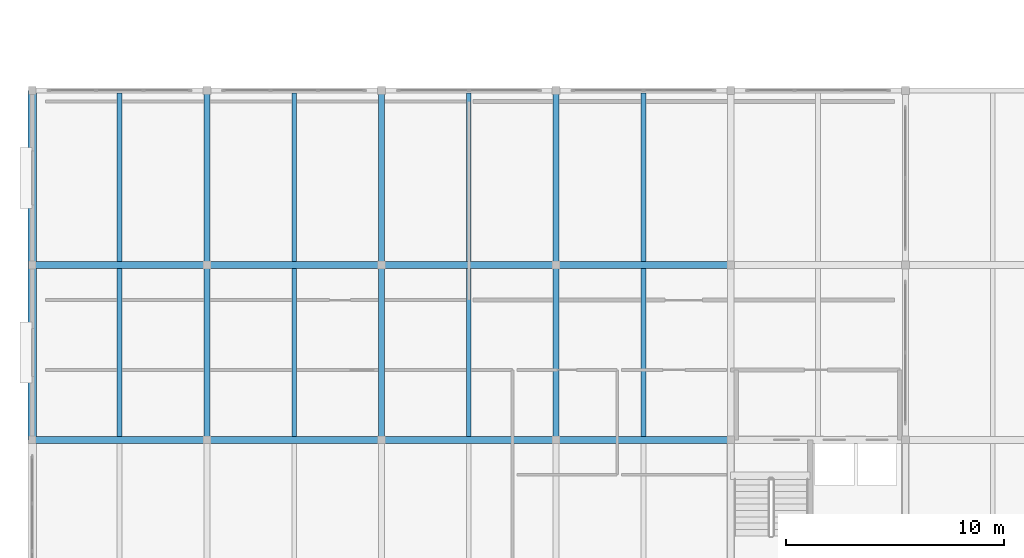
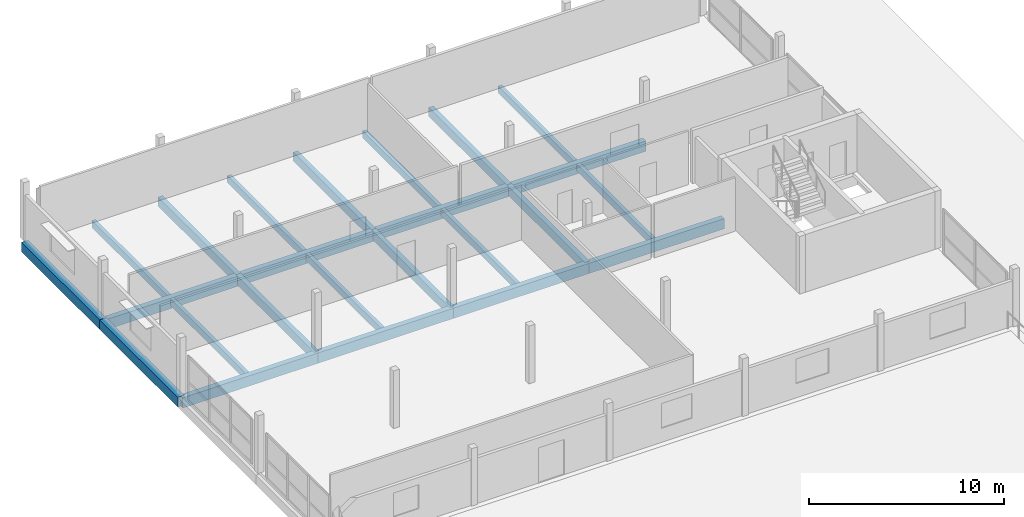
# One storey, part 7 of 25: 24 beams.
"""IFC4 building model written with IfcOpenShell, lengths in metres."""

from ifc_helpers import new_model, si_unit, direction, frame, origin, origin_2d, place, context, subcontext, project, spatial, rectangle, extrude, material, material_profile, profile_set, type_object, element, save


model = new_model("IFC4")

# Units and contexts
model_context = context("Model", 3, precision=1e-05, world=origin(), true_north=direction((0.0, 1.0)))
body_context = subcontext(model_context, "Body", "Model", "MODEL_VIEW")
ifc_project = project(units=[si_unit("LENGTHUNIT", "METRE"), si_unit("AREAUNIT", "SQUARE_METRE"), si_unit("VOLUMEUNIT", "CUBIC_METRE"), si_unit("PLANEANGLEUNIT", "RADIAN"), si_unit("MASSUNIT", "GRAM", prefix="KILO")], contexts=[model_context])

# Site, building, storey
site_placement = place(None, origin())
site = spatial("IfcSite", under=ifc_project, at=site_placement, CompositionType="ELEMENT")
building_placement = place(site_placement, origin())
building = spatial("IfcBuilding", under=site, at=building_placement, Name="Vharandega Faculty of Natural Sciences", CompositionType="ELEMENT")
storey_placement = place(building_placement, frame((0.0, 0.0, 25.199951171875)))
storey = spatial("IfcBuildingStorey", under=building, at=storey_placement, Name="L06", CompositionType="ELEMENT", Elevation=25.199951171875)

# Beams
ifc_material_1 = material(Name="Glulam GL28h", Category="wood")
ifc_material_profile_1 = material_profile(ifc_material_1, rectangle(XDim=0.280029296875, YDim=0.56005859375, at=origin_2d()), Name="GL28h 280x560")
ifc_profile_set_1 = profile_set([ifc_material_profile_1], Name="Glulam GL28h")
beam_type_1 = type_object("IfcBeamType", Name="Glulam Floor Beam 280x560", PredefinedType="BEAM", material=ifc_profile_set_1)
for number, where, z_axis, x_axis, name in (
    (1, (8.0, 48.0, -0.47998046875), (0.0, 1.0, 0.0), (-1.0, 0.0, 0.0), "Beam L06 2/G-H"),
    (2, (8.0, 56.0, -0.47998046875), (0.0, 1.0, 0.0), (-1.0, 0.0, 0.0), "Beam L06 2/H-J"),
    (3, (16.0, 48.0, -0.47998046875), (0.0, 1.0, 0.0), (-1.0, 0.0, 0.0), "Beam L06 3/G-H"),
    (4, (16.0, 56.0, -0.47998046875), (0.0, 1.0, 0.0), (-1.0, 0.0, 0.0), "Beam L06 3/H-J"),
    (5, (24.0, 48.0, -0.47998046875), (0.0, 1.0, 0.0), (-1.0, 0.0, 0.0), "Beam L06 4/G-H"),
    (6, (24.0, 56.0, -0.47998046875), (0.0, 1.0, 0.0), (-1.0, 0.0, 0.0), "Beam L06 4/H-J"),
):
    element("IfcBeam", number, at=place(storey_placement, frame(where, z_axis=z_axis, x_axis=x_axis)), inside=storey, type_object=beam_type_1, Name=name, PredefinedType="BEAM", context=body_context, shape_type="SweptSolid", body=[
        extrude(rectangle(XDim=0.280029296875, YDim=0.56005859375, at=origin_2d()), origin(), (0.0, 0.0, 1.0), 8.0),
    ])
ifc_material_2 = material(Name="Glulam GL28h", Category="wood")
ifc_material_profile_2 = material_profile(ifc_material_2, rectangle(XDim=0.320068359375, YDim=0.639892578125, at=origin_2d()), Name="GL28h 320x640")
ifc_profile_set_2 = profile_set([ifc_material_profile_2], Name="Glulam GL28h")
beam_type_2 = type_object("IfcBeamType", Name="Glulam Floor Beam 320x640", PredefinedType="BEAM", material=ifc_profile_set_2)
for number, where, z_axis, x_axis, name in (
    (7, (0.0, 48.0, -0.52001953125), (1.0, 0.0, 0.0), (0.0, 1.0, 0.0), "Beam L06 G/1-2"),
    (8, (8.0, 48.0, -0.52001953125), (1.0, 0.0, 0.0), (0.0, 1.0, 0.0), "Beam L06 G/2-3"),
    (9, (16.0, 48.0, -0.52001953125), (1.0, 0.0, 0.0), (0.0, 1.0, 0.0), "Beam L06 G/3-4"),
    (10, (24.0, 48.0, -0.52001953125), (1.0, 0.0, 0.0), (0.0, 1.0, 0.0), "Beam L06 G/4-5"),
    (11, (0.0, 56.0, -0.52001953125), (1.0, 0.0, 0.0), (0.0, 1.0, 0.0), "Beam L06 H/1-2"),
    (12, (8.0, 56.0, -0.52001953125), (1.0, 0.0, 0.0), (0.0, 1.0, 0.0), "Beam L06 H/2-3"),
    (13, (16.0, 56.0, -0.52001953125), (1.0, 0.0, 0.0), (0.0, 1.0, 0.0), "Beam L06 H/3-4"),
    (14, (24.0, 56.0, -0.52001953125), (1.0, 0.0, 0.0), (0.0, 1.0, 0.0), "Beam L06 H/4-5"),
):
    element("IfcBeam", number, at=place(storey_placement, frame(where, z_axis=z_axis, x_axis=x_axis)), inside=storey, type_object=beam_type_2, Name=name, PredefinedType="BEAM", context=body_context, shape_type="SweptSolid", body=[
        extrude(rectangle(XDim=0.320068359375, YDim=0.639892578125, at=origin_2d()), origin(), (0.0, 0.0, 1.0), 8.0),
    ])
ifc_material_3 = material(Name="Glulam GL28h", Category="wood")
ifc_material_profile_3 = material_profile(ifc_material_3, rectangle(XDim=0.219970703125, YDim=0.43994140625, at=origin_2d()), Name="GL28h 220x440")
ifc_profile_set_3 = profile_set([ifc_material_profile_3], Name="Glulam GL28h")
beam_type_3 = type_object("IfcBeamType", Name="Glulam Secondary Joist 220x440", PredefinedType="JOIST", material=ifc_profile_set_3)
beam_1_placement = place(storey_placement, frame((4.0, 48.159912109375, -0.419921875), z_axis=(0.0, 1.0, 0.0), x_axis=(-1.0, 0.0, 0.0)))
element("IfcBeam", 15, at=beam_1_placement, inside=storey, type_object=beam_type_3, Name="Secondary Joist L06 1-2/G-H", PredefinedType="JOIST", context=body_context, shape_type="SweptSolid", body=[
    extrude(rectangle(XDim=0.219970703125, YDim=0.43994140625, at=origin_2d()), origin(), (0.0, 0.0, 1.0), 7.68017578125),
])
beam_2_placement = place(storey_placement, frame((4.0, 56.159912109375, -0.419921875), z_axis=(0.0, 1.0, 0.0), x_axis=(-1.0, 0.0, 0.0)))
element("IfcBeam", 16, at=beam_2_placement, inside=storey, type_object=beam_type_3, Name="Secondary Joist L06 1-2/H-J", PredefinedType="JOIST", context=body_context, shape_type="SweptSolid", body=[
    extrude(rectangle(XDim=0.219970703125, YDim=0.43994140625, at=origin_2d()), origin(), (0.0, 0.0, 1.0), 7.719970703125),
])
beam_3_placement = place(storey_placement, frame((12.0, 48.159912109375, -0.419921875), z_axis=(0.0, 1.0, 0.0), x_axis=(-1.0, 0.0, 0.0)))
element("IfcBeam", 17, at=beam_3_placement, inside=storey, type_object=beam_type_3, Name="Secondary Joist L06 2-3/G-H", PredefinedType="JOIST", context=body_context, shape_type="SweptSolid", body=[
    extrude(rectangle(XDim=0.219970703125, YDim=0.43994140625, at=origin_2d()), origin(), (0.0, 0.0, 1.0), 7.68017578125),
])
beam_4_placement = place(storey_placement, frame((12.0, 56.159912109375, -0.419921875), z_axis=(0.0, 1.0, 0.0), x_axis=(-1.0, 0.0, 0.0)))
element("IfcBeam", 18, at=beam_4_placement, inside=storey, type_object=beam_type_3, Name="Secondary Joist L06 2-3/H-J", PredefinedType="JOIST", context=body_context, shape_type="SweptSolid", body=[
    extrude(rectangle(XDim=0.219970703125, YDim=0.43994140625, at=origin_2d()), origin(), (0.0, 0.0, 1.0), 7.719970703125),
])
beam_5_placement = place(storey_placement, frame((20.0, 48.159912109375, -0.419921875), z_axis=(0.0, 1.0, 0.0), x_axis=(-1.0, 0.0, 0.0)))
element("IfcBeam", 19, at=beam_5_placement, inside=storey, type_object=beam_type_3, Name="Secondary Joist L06 3-4/G-H", PredefinedType="JOIST", context=body_context, shape_type="SweptSolid", body=[
    extrude(rectangle(XDim=0.219970703125, YDim=0.43994140625, at=origin_2d()), origin(), (0.0, 0.0, 1.0), 7.68017578125),
])
beam_6_placement = place(storey_placement, frame((20.0, 56.159912109375, -0.419921875), z_axis=(0.0, 1.0, 0.0), x_axis=(-1.0, 0.0, 0.0)))
element("IfcBeam", 20, at=beam_6_placement, inside=storey, type_object=beam_type_3, Name="Secondary Joist L06 3-4/H-J", PredefinedType="JOIST", context=body_context, shape_type="SweptSolid", body=[
    extrude(rectangle(XDim=0.219970703125, YDim=0.43994140625, at=origin_2d()), origin(), (0.0, 0.0, 1.0), 7.719970703125),
])
beam_7_placement = place(storey_placement, frame((28.0, 48.159912109375, -0.419921875), z_axis=(0.0, 1.0, 0.0), x_axis=(-1.0, 0.0, 0.0)))
element("IfcBeam", 21, at=beam_7_placement, inside=storey, type_object=beam_type_3, Name="Secondary Joist L06 4-5/G-H", PredefinedType="JOIST", context=body_context, shape_type="SweptSolid", body=[
    extrude(rectangle(XDim=0.219970703125, YDim=0.43994140625, at=origin_2d()), origin(), (0.0, 0.0, 1.0), 7.68017578125),
])
beam_8_placement = place(storey_placement, frame((28.0, 56.159912109375, -0.419921875), z_axis=(0.0, 1.0, 0.0), x_axis=(-1.0, 0.0, 0.0)))
element("IfcBeam", 22, at=beam_8_placement, inside=storey, type_object=beam_type_3, Name="Secondary Joist L06 4-5/H-J", PredefinedType="JOIST", context=body_context, shape_type="SweptSolid", body=[
    extrude(rectangle(XDim=0.219970703125, YDim=0.43994140625, at=origin_2d()), origin(), (0.0, 0.0, 1.0), 7.719970703125),
])
ifc_material_4 = material(Name="Glulam GL32h", Category="wood")
ifc_material_profile_4 = material_profile(ifc_material_4, rectangle(XDim=0.39990234375, YDim=0.60009765625, at=origin_2d()), Name="GL32h 400x600")
ifc_profile_set_4 = profile_set([ifc_material_profile_4], Name="Glulam GL32h")
beam_type_4 = type_object("IfcBeamType", Name="Glulam Spine Girder 400x600", PredefinedType="BEAM", material=ifc_profile_set_4)
for number, where, z_axis, x_axis, name in (
    (23, (0.0, 48.0, -0.5), (0.0, 1.0, 0.0), (-1.0, 0.0, 0.0), "Beam L06 1/G-H"),
    (24, (0.0, 56.0, -0.5), (0.0, 1.0, 0.0), (-1.0, 0.0, 0.0), "Beam L06 1/H-J"),
):
    element("IfcBeam", number, at=place(storey_placement, frame(where, z_axis=z_axis, x_axis=x_axis)), inside=storey, type_object=beam_type_4, Name=name, PredefinedType="BEAM", context=body_context, shape_type="SweptSolid", body=[
        extrude(rectangle(XDim=0.39990234375, YDim=0.60009765625, at=origin_2d()), origin(), (0.0, 0.0, 1.0), 8.0),
    ])

save(model, "model.ifc")
